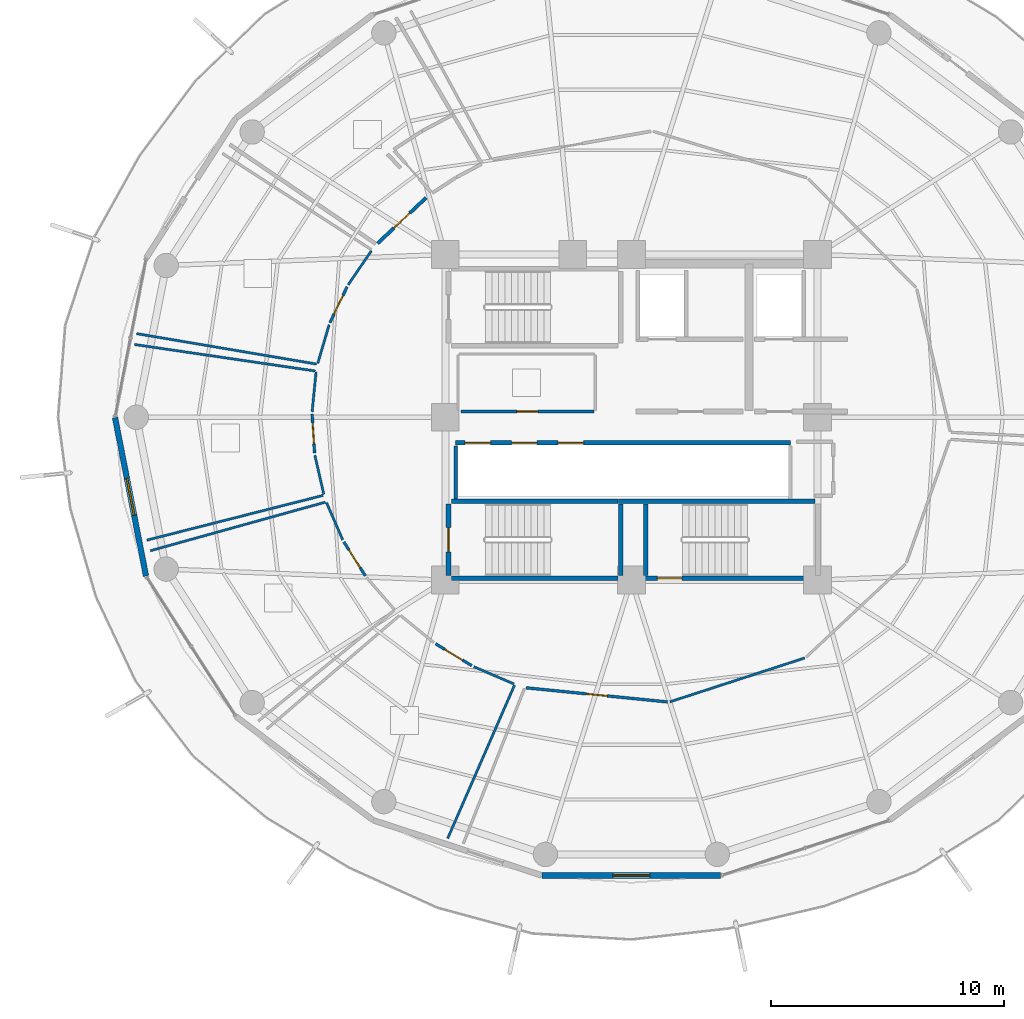
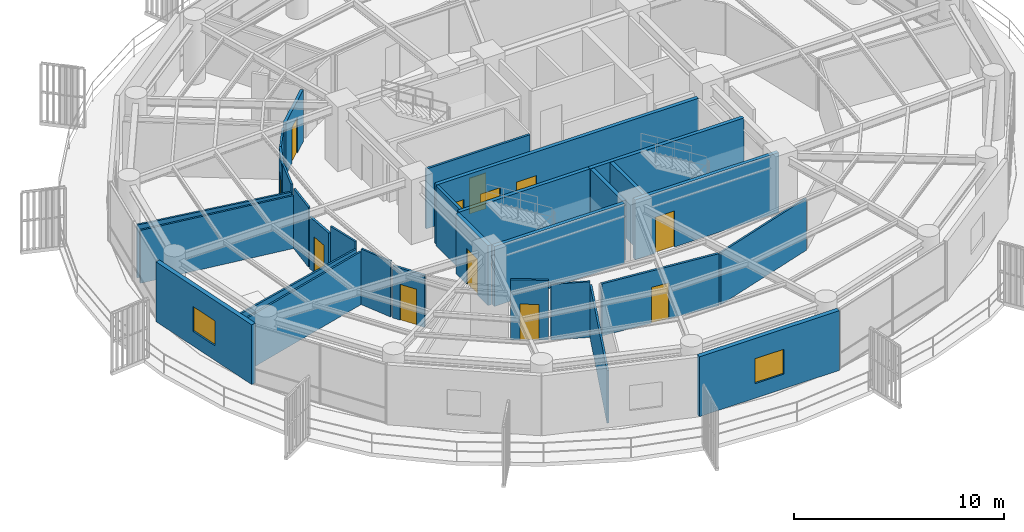
# One storey, part 25 of 31: 30 walls, 12 doors, 2 windows, 14 openings.
"""IFC4 building model written with IfcOpenShell, lengths in metres."""

from ifc_helpers import new_model, si_unit, direction, frame, frame_2d, origin, place, context, subcontext, project, spatial, rectangle, extrude, material, layer, layer_set, type_object, element, fill, save


model = new_model("IFC4")

# Units and contexts
model_context = context("Model", 3, precision=1e-05, world=origin(), true_north=direction((0.0, 1.0)))
body_context = subcontext(model_context, "Body", "Model", "MODEL_VIEW")
ifc_project = project(units=[si_unit("LENGTHUNIT", "METRE"), si_unit("AREAUNIT", "SQUARE_METRE"), si_unit("VOLUMEUNIT", "CUBIC_METRE"), si_unit("PLANEANGLEUNIT", "RADIAN"), si_unit("MASSUNIT", "GRAM", prefix="KILO")], contexts=[model_context])

# Site, building, storey
site_placement = place(None, origin())
site = spatial("IfcSite", under=ifc_project, at=site_placement, CompositionType="ELEMENT")
building_placement = place(site_placement, origin())
building = spatial("IfcBuilding", under=site, at=building_placement, Name="Kelanora Arch Commons", CompositionType="ELEMENT")
storey_placement = place(building_placement, frame((0.0, 0.0, 193.199951171875)))
storey = spatial("IfcBuildingStorey", under=building, at=storey_placement, Name="L49", CompositionType="ELEMENT", Elevation=193.199951171875)

# Wall
ifc_material_1 = material(Name="Autoclaved aerated concrete blockwork with fire plaster", Category="masonry")
ifc_layer_1 = layer(ifc_material_1, 0.14990234375)
ifc_layer_set_1 = layer_set([ifc_layer_1], Name="Autoclaved aerated concrete blockwork with fire plaster")
wall_type_1 = type_object("IfcWallType", Name="W-COMP-150", PredefinedType="PARTITIONING", material=ifc_layer_set_1)
wall_1_placement = place(storey_placement, frame((66.4599609375, 54.47998046875, 0.0), z_axis=(0.0, 0.0, 1.0), x_axis=(0.0, 1.0, 0.0)))
element("IfcWall", 1, at=wall_1_placement, inside=storey, type_object=wall_type_1, Name="South Lift Bank West Wall L49", PredefinedType="PARTITIONING", context=body_context, shape_type="SweptSolid", body=[
    extrude(rectangle(XDim=2.2900390625, YDim=0.14990234375, at=frame_2d((1.14501953125, 0.0))), origin(), (0.0, 0.0, 1.0), 3.47998046875),
])

# Wall, opening, door
wall_2_placement = place(storey_placement, frame((65.17529296875, 67.43798828125, 0.0), z_axis=(0.0, 0.0, 1.0), x_axis=(-0.728220012456, -0.685343427384, 0.0)))
wall_2 = element("IfcWall", 2, at=wall_2_placement, inside=storey, type_object=wall_type_1, Name="Co-Living Studio L49-01 Entry Partition", PredefinedType="PARTITIONING", context=body_context, shape_type="SweptSolid", body=[
    extrude(rectangle(XDim=2.864013671875, YDim=0.14990234375, at=frame_2d((1.43212890625, 0.0))), origin(), (0.0, 0.0, 1.0), 3.025146484375),
])
opening_1_placement = place(wall_2_placement, frame((0.95703125, 0.0, 0.0)))
opening_1 = element("IfcOpeningElement", 3, at=opening_1_placement, cuts=wall_2, Name="Opening D-CLU1", PredefinedType="OPENING", context=body_context, shape_type="SweptSolid", body=[
    extrude(rectangle(XDim=0.949951171875, YDim=2.080078125, at=frame_2d((0.47509765625, 1.0400390625))), frame((0.0, 0.0849609375, 0.0), z_axis=(0.0, -1.0, 0.0), x_axis=(1.0, 0.0, 0.0)), (0.0, 0.0, 1.0), 0.169921875),
])
ifc_material_2 = material(Name="Solid-core acoustic timber cluster entry fire door", Category="wood")
door_type_1 = type_object("IfcDoorType", Name="D-CLU-95", OperationType="NOTDEFINED", PredefinedType="DOOR", material=ifc_material_2)
door_1_placement = place(opening_1_placement, origin())
door_1 = element("IfcDoor", 4, at=door_1_placement, inside=storey, type_object=door_type_1, Name="Co-Living Studio L49-01 Door", OperationType="SINGLE_SWING_RIGHT", OverallHeight=2.080078125, OverallWidth=0.949951171875, PredefinedType="DOOR", context=body_context, shape_type="SweptSolid", body=[
    extrude(rectangle(XDim=0.949951171875, YDim=2.080078125, at=frame_2d((0.47509765625, 1.0400390625))), frame((0.0, 0.02490234375, 0.0), z_axis=(0.0, -1.0, 0.0), x_axis=(1.0, 0.0, 0.0)), (0.0, 0.0, 1.0), 0.050048828125),
])
fill(opening_1, door_1)

# Wall, opening, window
ifc_material_3 = material(Name="Precast concrete C40/50 upper-zone terracotta rainscreen", Category="masonry")
ifc_layer_2 = layer(ifc_material_3, 0.239990234375)
ifc_layer_set_2 = layer_set([ifc_layer_2], Name="Precast concrete C40/50 upper-zone terracotta rainscreen")
wall_type_2 = type_object("IfcWallType", Name="W-EXT-TC2", PredefinedType="SOLIDWALL", material=ifc_layer_set_2)
wall_3_placement = place(storey_placement, frame((51.802978515625, 57.9853515625, 0.0), z_axis=(0.0, 0.0, 1.0), x_axis=(0.192069055673, -0.981381413036, 0.0)))
wall_3 = element("IfcWall", 5, at=wall_3_placement, inside=storey, type_object=wall_type_2, Name="Terracotta Exterior Wall L49-B09", PredefinedType="SOLIDWALL", context=body_context, shape_type="SweptSolid", body=[
    extrude(rectangle(XDim=6.940185546875, YDim=0.239990234375, at=frame_2d((3.47021484375, 0.0))), origin(), (0.0, 0.0, 1.0), 3.47509765625),
])
opening_2_placement = place(wall_3_placement, frame((2.669921875, 0.0, 0.85009765625)))
opening_2 = element("IfcOpeningElement", 6, at=opening_2_placement, cuts=wall_3, Name="Opening WN-01", PredefinedType="OPENING", context=body_context, shape_type="SweptSolid", body=[
    extrude(rectangle(XDim=1.60009765625, YDim=1.449951171875, at=frame_2d((0.800048828125, 0.72509765625))), frame((0.0, 0.1298828125, 0.0), z_axis=(0.0, -1.0, 0.0), x_axis=(1.0, 0.0, 0.0)), (0.0, 0.0, 1.0), 0.260009765625),
])
ifc_material_4 = material(Name="Terracotta-anodised aluminium frame with operable low-E glazing", Category="masonry")
window_type = type_object("IfcWindowType", Name="WIN-CL-18", PartitioningType="DOUBLE_PANEL_VERTICAL", PredefinedType="WINDOW", material=ifc_material_4)
window_1_placement = place(opening_2_placement, origin())
window_1 = element("IfcWindow", 7, at=window_1_placement, inside=storey, type_object=window_type, Name="Co-Living Operable Window L49-B09", OverallHeight=1.449951171875, OverallWidth=1.60009765625, PartitioningType="SINGLE_PANEL", PredefinedType="WINDOW", context=body_context, shape_type="SweptSolid", body=[
    extrude(rectangle(XDim=1.60009765625, YDim=1.449951171875, at=frame_2d((0.800048828125, 0.72509765625))), frame((0.0, 0.030029296875, 0.0), z_axis=(0.0, -1.0, 0.0), x_axis=(1.0, 0.0, 0.0)), (0.0, 0.0, 1.0), 0.06005859375),
])
fill(opening_2, window_1)

wall_4_placement = place(storey_placement, frame((70.159912109375, 38.3037109375, 0.0), z_axis=(0.0, 0.0, 1.0), x_axis=(1.0, 0.0, 0.0)))
wall_4 = element("IfcWall", 8, at=wall_4_placement, inside=storey, type_object=wall_type_2, Name="Terracotta Exterior Wall L49-B13", PredefinedType="SOLIDWALL", context=body_context, shape_type="SweptSolid", body=[
    extrude(rectangle(XDim=7.68017578125, YDim=0.239990234375, at=frame_2d((3.840087890625, 0.0))), origin(), (0.0, 0.0, 1.0), 3.47509765625),
])
opening_3_placement = place(wall_4_placement, frame((3.0400390625, 0.0, 0.85009765625)))
opening_3 = element("IfcOpeningElement", 9, at=opening_3_placement, cuts=wall_4, Name="Opening WN-01", PredefinedType="OPENING", context=body_context, shape_type="SweptSolid", body=[
    extrude(rectangle(XDim=1.60009765625, YDim=1.449951171875, at=frame_2d((0.800048828125, 0.72509765625))), frame((0.0, 0.1298828125, 0.0), z_axis=(0.0, -1.0, 0.0), x_axis=(1.0, 0.0, 0.0)), (0.0, 0.0, 1.0), 0.260009765625),
])
window_2_placement = place(opening_3_placement, origin())
window_2 = element("IfcWindow", 10, at=window_2_placement, inside=storey, type_object=window_type, Name="Co-Living Operable Window L49-B13", OverallHeight=1.449951171875, OverallWidth=1.60009765625, PartitioningType="SINGLE_PANEL", PredefinedType="WINDOW", context=body_context, shape_type="SweptSolid", body=[
    extrude(rectangle(XDim=1.60009765625, YDim=1.449951171875, at=frame_2d((0.800048828125, 0.72509765625))), frame((0.0, 0.030029296875, 0.0), z_axis=(0.0, -1.0, 0.0), x_axis=(1.0, 0.0, 0.0)), (0.0, 0.0, 1.0), 0.06005859375),
])
fill(opening_3, window_2)

# Wall, openings, doors
ifc_material_5 = material(Name="Concrete C40/50", Category="concrete")
ifc_layer_3 = layer(ifc_material_5, 0.199951171875)
ifc_layer_set_3 = layer_set([ifc_layer_3], Name="Concrete C40/50")
wall_type_3 = type_object("IfcWallType", Name="W-FFL-200", PredefinedType="SOLIDWALL", material=ifc_layer_set_3)
wall_5_placement = place(storey_placement, frame((66.449951171875, 56.89990234375, 0.0), z_axis=(0.0, 0.0, 1.0), x_axis=(1.0, 0.0, 0.0)))
wall_5 = element("IfcWall", 11, at=wall_5_placement, inside=storey, type_object=wall_type_3, Name="Mid/High/Express Lift Shaft Front L49", PredefinedType="SOLIDWALL", context=body_context, shape_type="SweptSolid", body=[
    extrude(rectangle(XDim=14.400146484375, YDim=0.199951171875, at=frame_2d((7.2001953125, 0.0))), origin(), (0.0, 0.0, 1.0), 3.47998046875),
])
opening_4_placement = place(wall_5_placement, frame((0.39990234375, 0.0, 0.0)))
opening_4 = element("IfcOpeningElement", 12, at=opening_4_placement, cuts=wall_5, Name="Opening LD-01", PredefinedType="OPENING", context=body_context, shape_type="SweptSolid", body=[
    extrude(rectangle(XDim=1.10009765625, YDim=2.10009765625, at=frame_2d((0.550048828125, 1.050048828125))), frame((0.0, 0.10986328125, 0.0), z_axis=(0.0, -1.0, 0.0), x_axis=(1.0, 0.0, 0.0)), (0.0, 0.0, 1.0), 0.219970703125),
])
opening_5_placement = place(wall_5_placement, frame((2.39990234375, 0.0, 0.0)))
opening_5 = element("IfcOpeningElement", 13, at=opening_5_placement, cuts=wall_5, Name="Opening LD-01", PredefinedType="OPENING", context=body_context, shape_type="SweptSolid", body=[
    extrude(rectangle(XDim=1.10009765625, YDim=2.10009765625, at=frame_2d((0.550048828125, 1.050048828125))), frame((0.0, 0.10986328125, 0.0), z_axis=(0.0, -1.0, 0.0), x_axis=(1.0, 0.0, 0.0)), (0.0, 0.0, 1.0), 0.219970703125),
])
opening_6_placement = place(wall_5_placement, frame((4.39990234375, 0.0, 0.0)))
opening_6 = element("IfcOpeningElement", 14, at=opening_6_placement, cuts=wall_5, Name="Opening LD-01", PredefinedType="OPENING", context=body_context, shape_type="SweptSolid", body=[
    extrude(rectangle(XDim=1.10009765625, YDim=2.10009765625, at=frame_2d((0.550048828125, 1.050048828125))), frame((0.0, 0.10986328125, 0.0), z_axis=(0.0, -1.0, 0.0), x_axis=(1.0, 0.0, 0.0)), (0.0, 0.0, 1.0), 0.219970703125),
])
ifc_material_6 = material(Name="Stainless steel passenger lift sliding landing door", Category="steel")
door_type_2 = type_object("IfcDoorType", Name="D-LIFT-110", OperationType="NOTDEFINED", PredefinedType="DOOR", material=ifc_material_6)
door_2_placement = place(opening_4_placement, origin())
door_2 = element("IfcDoor", 15, at=door_2_placement, inside=storey, type_object=door_type_2, Name="Passenger Lift LF-P4 Landing Door L49", OperationType="DOUBLE_DOOR_SLIDING", OverallHeight=2.10009765625, OverallWidth=1.10009765625, PredefinedType="DOOR", context=body_context, shape_type="SweptSolid", body=[
    extrude(rectangle(XDim=1.10009765625, YDim=2.10009765625, at=frame_2d((0.550048828125, 1.050048828125))), frame((0.0, 0.02490234375, 0.0), z_axis=(0.0, -1.0, 0.0), x_axis=(1.0, 0.0, 0.0)), (0.0, 0.0, 1.0), 0.050048828125),
])
fill(opening_4, door_2)
door_3_placement = place(opening_5_placement, origin())
door_3 = element("IfcDoor", 16, at=door_3_placement, inside=storey, type_object=door_type_2, Name="Passenger Lift LF-P5 Landing Door L49", OperationType="DOUBLE_DOOR_SLIDING", OverallHeight=2.10009765625, OverallWidth=1.10009765625, PredefinedType="DOOR", context=body_context, shape_type="SweptSolid", body=[
    extrude(rectangle(XDim=1.10009765625, YDim=2.10009765625, at=frame_2d((0.550048828125, 1.050048828125))), frame((0.0, 0.02490234375, 0.0), z_axis=(0.0, -1.0, 0.0), x_axis=(1.0, 0.0, 0.0)), (0.0, 0.0, 1.0), 0.050048828125),
])
fill(opening_5, door_3)
door_4_placement = place(opening_6_placement, origin())
door_4 = element("IfcDoor", 17, at=door_4_placement, inside=storey, type_object=door_type_2, Name="Passenger Lift LF-P6 Landing Door L49", OperationType="DOUBLE_DOOR_SLIDING", OverallHeight=2.10009765625, OverallWidth=1.10009765625, PredefinedType="DOOR", context=body_context, shape_type="SweptSolid", body=[
    extrude(rectangle(XDim=1.10009765625, YDim=2.10009765625, at=frame_2d((0.550048828125, 1.050048828125))), frame((0.0, 0.02490234375, 0.0), z_axis=(0.0, -1.0, 0.0), x_axis=(1.0, 0.0, 0.0)), (0.0, 0.0, 1.0), 0.050048828125),
])
fill(opening_6, door_4)

# Walls
ifc_material_7 = material(Name="Lightweight fire-rated acoustic stud partition")
ifc_layer_4 = layer(ifc_material_7, 0.10009765625)
ifc_layer_set_4 = layer_set([ifc_layer_4], Name="Lightweight fire-rated acoustic stud partition")
wall_type_4 = type_object("IfcWallType", Name="W-PART-100", PredefinedType="PARTITIONING", material=ifc_layer_set_4)
wall_6_placement = place(storey_placement, frame((75.657958984375, 45.768310546875, 0.0), z_axis=(0.0, 0.0, 1.0), x_axis=(0.950943301514, 0.309365216704, 0.0)))
element("IfcWall", 18, at=wall_6_placement, inside=storey, type_object=wall_type_4, Name="South-East Shared Study Commons L49 Enclosure Partition 2", PredefinedType="PARTITIONING", context=body_context, shape_type="SweptSolid", body=[
    extrude(rectangle(XDim=6.0908203125, YDim=0.10009765625, at=frame_2d((3.04541015625, 0.0))), origin(), (0.0, 0.0, 1.0), 3.025146484375),
])
wall_7_placement = place(storey_placement, frame((62.824462890625, 65.158935546875, 0.0), z_axis=(0.0, 0.0, 1.0), x_axis=(-0.563576356576, -0.826063974707, 0.0)))
element("IfcWall", 19, at=wall_7_placement, inside=storey, type_object=wall_type_4, Name="Communal Dining and Social Hall L49-02 Enclosure Partition 1", PredefinedType="PARTITIONING", context=body_context, shape_type="SweptSolid", body=[
    extrude(rectangle(XDim=1.77099609375, YDim=0.10009765625, at=frame_2d((0.885498046875, 0.0))), origin(), (0.0, 0.0, 1.0), 3.025146484375),
])
wall_8_placement = place(storey_placement, frame((61.006591796875, 61.9755859375, 0.0), z_axis=(0.0, 0.0, 1.0), x_axis=(-0.282778653399, -0.959185192328, 0.0)))
element("IfcWall", 20, at=wall_8_placement, inside=storey, type_object=wall_type_4, Name="Communal Dining and Social Hall L49-02 Enclosure Partition 3", PredefinedType="PARTITIONING", context=body_context, shape_type="SweptSolid", body=[
    extrude(rectangle(XDim=1.726806640625, YDim=0.10009765625, at=frame_2d((0.86328125, 0.0))), origin(), (0.0, 0.0, 1.0), 3.47998046875),
])
wall_9_placement = place(storey_placement, frame((60.467529296875, 60.28759765625, 0.0), z_axis=(0.0, 0.0, 1.0), x_axis=(-0.985986320585, 0.166826183855, 0.0)))
element("IfcWall", 21, at=wall_9_placement, inside=storey, type_object=wall_type_4, Name="Communal Dining and Social Hall L49-02 Enclosure Partition 4", PredefinedType="PARTITIONING", context=body_context, shape_type="SweptSolid", body=[
    extrude(rectangle(XDim=7.843994140625, YDim=0.10009765625, at=frame_2d((3.921875, 0.0))), origin(), (0.0, 0.0, 1.0), 3.074951171875),
])
wall_10_placement = place(storey_placement, frame((60.445068359375, 59.944091796875, 0.0), z_axis=(0.0, 0.0, 1.0), x_axis=(-0.09867193761, -0.995120017248, 0.0)))
element("IfcWall", 22, at=wall_10_placement, inside=storey, type_object=wall_type_4, Name="Social Sky Lounge L49-03 Enclosure Partition 1", PredefinedType="PARTITIONING", context=body_context, shape_type="SweptSolid", body=[
    extrude(rectangle(XDim=1.714599609375, YDim=0.10009765625, at=frame_2d((0.857421875, 0.0))), origin(), (0.0, 0.0, 1.0), 3.47998046875),
])
wall_11_placement = place(storey_placement, frame((60.393798828125, 56.368896484375, 0.0), z_axis=(0.0, 0.0, 1.0), x_axis=(0.222570739093, -0.974916543146, 0.0)))
element("IfcWall", 23, at=wall_11_placement, inside=storey, type_object=wall_type_4, Name="Social Sky Lounge L49-03 Enclosure Partition 3", PredefinedType="PARTITIONING", context=body_context, shape_type="SweptSolid", body=[
    extrude(rectangle(XDim=1.72216796875, YDim=0.10009765625, at=frame_2d((0.861083984375, 0.0))), origin(), (0.0, 0.0, 1.0), 3.47998046875),
])
wall_12_placement = place(storey_placement, frame((60.747314453125, 54.64111328125, 0.0), z_axis=(0.0, 0.0, 1.0), x_axis=(-0.969263182074, -0.246026185347, 0.0)))
element("IfcWall", 24, at=wall_12_placement, inside=storey, type_object=wall_type_4, Name="Social Sky Lounge L49-03 Enclosure Partition 4", PredefinedType="PARTITIONING", context=body_context, shape_type="SweptSolid", body=[
    extrude(rectangle(XDim=7.813720703125, YDim=0.10009765625, at=frame_2d((3.90673828125, 0.0))), origin(), (0.0, 0.0, 1.0), 3.074951171875),
])
wall_13_placement = place(storey_placement, frame((52.642578125, 61.129150390625, 0.0), z_axis=(0.0, 0.0, 1.0), x_axis=(0.989410031557, -0.145147474846, 0.0)))
element("IfcWall", 25, at=wall_13_placement, inside=storey, type_object=wall_type_4, Name="Social Sky Lounge L49-03 Enclosure Partition 8", PredefinedType="PARTITIONING", context=body_context, shape_type="SweptSolid", body=[
    extrude(rectangle(XDim=7.85009765625, YDim=0.10009765625, at=frame_2d((3.925048828125, 0.0))), origin(), (0.0, 0.0, 1.0), 3.074951171875),
])
wall_14_placement = place(storey_placement, frame((60.89697265625, 54.3251953125, 0.0), z_axis=(0.0, 0.0, 1.0), x_axis=(0.399192626392, -0.916867082534, 0.0)))
element("IfcWall", 26, at=wall_14_placement, inside=storey, type_object=wall_type_4, Name="Quiet Seminar Study Room L49-04 Enclosure Partition 1", PredefinedType="PARTITIONING", context=body_context, shape_type="SweptSolid", body=[
    extrude(rectangle(XDim=1.7412109375, YDim=0.10009765625, at=frame_2d((0.87060546875, 0.0))), origin(), (0.0, 0.0, 1.0), 3.235107421875),
])
wall_15_placement = place(storey_placement, frame((53.323486328125, 52.263671875, 0.0), z_axis=(0.0, 0.0, 1.0), x_axis=(0.963550174849, 0.267527681834, 0.0)))
element("IfcWall", 27, at=wall_15_placement, inside=storey, type_object=wall_type_4, Name="Quiet Seminar Study Room L49-04 Enclosure Partition 8", PredefinedType="PARTITIONING", context=body_context, shape_type="SweptSolid", body=[
    extrude(rectangle(XDim=7.803466796875, YDim=0.10009765625, at=frame_2d((3.90185546875, 0.0))), origin(), (0.0, 0.0, 1.0), 3.074951171875),
])
wall_16_placement = place(storey_placement, frame((67.2255859375, 47.2783203125, 0.0), z_axis=(0.0, 0.0, 1.0), x_axis=(0.918768567592, -0.394796554196, 0.0)))
element("IfcWall", 28, at=wall_16_placement, inside=storey, type_object=wall_type_4, Name="Communal Dining and Social Hall L49-05 Enclosure Partition 3", PredefinedType="PARTITIONING", context=body_context, shape_type="SweptSolid", body=[
    extrude(rectangle(XDim=1.880615234375, YDim=0.10009765625, at=frame_2d((0.9404296875, 0.0))), origin(), (0.0, 0.0, 1.0), 3.235107421875),
])
wall_17_placement = place(storey_placement, frame((68.97412109375, 46.4833984375, 0.0), z_axis=(0.0, 0.0, 1.0), x_axis=(-0.399504113712, -0.916731401844, 0.0)))
element("IfcWall", 29, at=wall_17_placement, inside=storey, type_object=wall_type_4, Name="Communal Dining and Social Hall L49-05 Enclosure Partition 4", PredefinedType="PARTITIONING", context=body_context, shape_type="SweptSolid", body=[
    extrude(rectangle(XDim=7.181640625, YDim=0.10009765625, at=frame_2d((3.5908203125, 0.0))), origin(), (0.0, 0.0, 1.0), 3.074951171875),
])

# Wall, opening, door
ifc_material_8 = material(Name="Acoustic twin-stud fire-rated gypsum partition")
ifc_layer_5 = layer(ifc_material_8, 0.1201171875)
ifc_layer_set_5 = layer_set([ifc_layer_5], Name="Acoustic twin-stud fire-rated gypsum partition")
wall_type_5 = type_object("IfcWallType", Name="W-PART-120", PredefinedType="PARTITIONING", material=ifc_layer_set_5)
wall_18_placement = place(storey_placement, frame((66.67529296875, 58.25, 0.0), z_axis=(0.0, 0.0, 1.0), x_axis=(1.0, 0.0, 0.0)))
wall_18 = element("IfcWall", 30, at=wall_18_placement, inside=storey, type_object=wall_type_5, Name="Reclaimed Core Study Pod Lounge L49 Entry Partition", PredefinedType="PARTITIONING", context=body_context, shape_type="SweptSolid", body=[
    extrude(rectangle(XDim=5.714599609375, YDim=0.1201171875, at=frame_2d((2.857421875, 0.0))), origin(), (0.0, 0.0, 1.0), 3.47998046875),
])
opening_7_placement = place(wall_18_placement, frame((2.406982421875, 0.0, 0.0)))
opening_7 = element("IfcOpeningElement", 31, at=opening_7_placement, cuts=wall_18, Name="Opening D-RM1", PredefinedType="OPENING", context=body_context, shape_type="SweptSolid", body=[
    extrude(rectangle(XDim=0.89990234375, YDim=2.080078125, at=frame_2d((0.449951171875, 1.0400390625))), frame((0.0, 0.070068359375, 0.0), z_axis=(0.0, -1.0, 0.0), x_axis=(1.0, 0.0, 0.0)), (0.0, 0.0, 1.0), 0.14013671875),
])
ifc_material_9 = material(Name="Acoustic fire-rated timber study and lounge door", Category="wood")
door_type_3 = type_object("IfcDoorType", Name="D-ROOM-90", OperationType="NOTDEFINED", PredefinedType="DOOR", material=ifc_material_9)
door_5_placement = place(opening_7_placement, origin())
door_5 = element("IfcDoor", 32, at=door_5_placement, inside=storey, type_object=door_type_3, Name="Reclaimed Core Study Pod Lounge L49 Door", OperationType="SINGLE_SWING_RIGHT", OverallHeight=2.080078125, OverallWidth=0.89990234375, PredefinedType="DOOR", context=body_context, shape_type="SweptSolid", body=[
    extrude(rectangle(XDim=0.89990234375, YDim=2.080078125, at=frame_2d((0.449951171875, 1.0400390625))), frame((0.0, 0.02490234375, 0.0), z_axis=(0.0, -1.0, 0.0), x_axis=(1.0, 0.0, 0.0)), (0.0, 0.0, 1.0), 0.050048828125),
])
fill(opening_7, door_5)

wall_19_placement = place(storey_placement, frame((69.476806640625, 46.37109375, 0.0), z_axis=(0.0, 0.0, 1.0), x_axis=(0.995024530457, -0.099630235311, 0.0)))
wall_19 = element("IfcWall", 33, at=wall_19_placement, inside=storey, type_object=wall_type_5, Name="South-East Shared Study Commons L49 Entry Partition", PredefinedType="PARTITIONING", context=body_context, shape_type="SweptSolid", body=[
    extrude(rectangle(XDim=6.114013671875, YDim=0.1201171875, at=frame_2d((3.05712890625, 0.0))), origin(), (0.0, 0.0, 1.0), 3.025146484375),
])
opening_8_placement = place(wall_19_placement, frame((2.60693359375, 0.0, 0.0)))
opening_8 = element("IfcOpeningElement", 34, at=opening_8_placement, cuts=wall_19, Name="Opening D-RM1", PredefinedType="OPENING", context=body_context, shape_type="SweptSolid", body=[
    extrude(rectangle(XDim=0.89990234375, YDim=2.080078125, at=frame_2d((0.449951171875, 1.0400390625))), frame((0.0, 0.070068359375, 0.0), z_axis=(0.0, -1.0, 0.0), x_axis=(1.0, 0.0, 0.0)), (0.0, 0.0, 1.0), 0.14013671875),
])
door_6_placement = place(opening_8_placement, origin())
door_6 = element("IfcDoor", 35, at=door_6_placement, inside=storey, type_object=door_type_3, Name="South-East Shared Study Commons L49 Door", OperationType="SINGLE_SWING_LEFT", OverallHeight=2.080078125, OverallWidth=0.89990234375, PredefinedType="DOOR", context=body_context, shape_type="SweptSolid", body=[
    extrude(rectangle(XDim=0.89990234375, YDim=2.080078125, at=frame_2d((0.449951171875, 1.0400390625))), frame((0.0, 0.02490234375, 0.0), z_axis=(0.0, -1.0, 0.0), x_axis=(1.0, 0.0, 0.0)), (0.0, 0.0, 1.0), 0.050048828125),
])
fill(opening_8, door_6)

wall_20_placement = place(storey_placement, frame((61.7783203125, 63.60888671875, 0.0), z_axis=(0.0, 0.0, 1.0), x_axis=(-0.430372132133, -0.902651553969, 0.0)))
wall_20 = element("IfcWall", 36, at=wall_20_placement, inside=storey, type_object=wall_type_5, Name="Communal Dining and Social Hall L49-02 Entry Partition", PredefinedType="PARTITIONING", context=body_context, shape_type="SweptSolid", body=[
    extrude(rectangle(XDim=1.70703125, YDim=0.1201171875, at=frame_2d((0.853515625, 0.0))), origin(), (0.0, 0.0, 1.0), 3.235107421875),
])
opening_9_placement = place(wall_20_placement, frame((0.403076171875, 0.0, 0.0)))
opening_9 = element("IfcOpeningElement", 37, at=opening_9_placement, cuts=wall_20, Name="Opening D-RM1", PredefinedType="OPENING", context=body_context, shape_type="SweptSolid", body=[
    extrude(rectangle(XDim=0.89990234375, YDim=2.080078125, at=frame_2d((0.449951171875, 1.0400390625))), frame((0.0, 0.070068359375, 0.0), z_axis=(0.0, -1.0, 0.0), x_axis=(1.0, 0.0, 0.0)), (0.0, 0.0, 1.0), 0.14013671875),
])
door_7_placement = place(opening_9_placement, origin())
door_7 = element("IfcDoor", 38, at=door_7_placement, inside=storey, type_object=door_type_3, Name="Communal Dining and Social Hall L49-02 Door", OperationType="SINGLE_SWING_LEFT", OverallHeight=2.080078125, OverallWidth=0.89990234375, PredefinedType="DOOR", context=body_context, shape_type="SweptSolid", body=[
    extrude(rectangle(XDim=0.89990234375, YDim=2.080078125, at=frame_2d((0.449951171875, 1.0400390625))), frame((0.0, 0.02490234375, 0.0), z_axis=(0.0, -1.0, 0.0), x_axis=(1.0, 0.0, 0.0)), (0.0, 0.0, 1.0), 0.050048828125),
])
fill(opening_9, door_7)

wall_21_placement = place(storey_placement, frame((60.27587890625, 58.13818359375, 0.0), z_axis=(0.0, 0.0, 1.0), x_axis=(0.062877817732, -0.998021232258, 0.0)))
wall_21 = element("IfcWall", 39, at=wall_21_placement, inside=storey, type_object=wall_type_5, Name="Social Sky Lounge L49-03 Entry Partition", PredefinedType="PARTITIONING", context=body_context, shape_type="SweptSolid", body=[
    extrude(rectangle(XDim=1.673583984375, YDim=0.1201171875, at=frame_2d((0.8369140625, 0.0))), origin(), (0.0, 0.0, 1.0), 3.025146484375),
])
opening_10_placement = place(wall_21_placement, frame((0.386962890625, 0.0, 0.0)))
opening_10 = element("IfcOpeningElement", 40, at=opening_10_placement, cuts=wall_21, Name="Opening D-RM1", PredefinedType="OPENING", context=body_context, shape_type="SweptSolid", body=[
    extrude(rectangle(XDim=0.89990234375, YDim=2.080078125, at=frame_2d((0.449951171875, 1.0400390625))), frame((0.0, 0.070068359375, 0.0), z_axis=(0.0, -1.0, 0.0), x_axis=(1.0, 0.0, 0.0)), (0.0, 0.0, 1.0), 0.14013671875),
])
door_8_placement = place(opening_10_placement, origin())
door_8 = element("IfcDoor", 41, at=door_8_placement, inside=storey, type_object=door_type_3, Name="Social Sky Lounge L49-03 Door", OperationType="SINGLE_SWING_RIGHT", OverallHeight=2.080078125, OverallWidth=0.89990234375, PredefinedType="DOOR", context=body_context, shape_type="SweptSolid", body=[
    extrude(rectangle(XDim=0.89990234375, YDim=2.080078125, at=frame_2d((0.449951171875, 1.0400390625))), frame((0.0, 0.02490234375, 0.0), z_axis=(0.0, -1.0, 0.0), x_axis=(1.0, 0.0, 0.0)), (0.0, 0.0, 1.0), 0.050048828125),
])
fill(opening_10, door_8)

wall_22_placement = place(storey_placement, frame((61.64013671875, 52.641357421875, 0.0), z_axis=(0.0, 0.0, 1.0), x_axis=(0.535610965059, -0.844464856645, 0.0)))
wall_22 = element("IfcWall", 42, at=wall_22_placement, inside=storey, type_object=wall_type_5, Name="Quiet Seminar Study Room L49-04 Entry Partition", PredefinedType="PARTITIONING", context=body_context, shape_type="SweptSolid", body=[
    extrude(rectangle(XDim=1.724853515625, YDim=0.1201171875, at=frame_2d((0.8623046875, 0.0))), origin(), (0.0, 0.0, 1.0), 3.025146484375),
])
opening_11_placement = place(wall_22_placement, frame((0.412109375, 0.0, 0.0)))
opening_11 = element("IfcOpeningElement", 43, at=opening_11_placement, cuts=wall_22, Name="Opening D-RM1", PredefinedType="OPENING", context=body_context, shape_type="SweptSolid", body=[
    extrude(rectangle(XDim=0.89990234375, YDim=2.080078125, at=frame_2d((0.449951171875, 1.0400390625))), frame((0.0, 0.070068359375, 0.0), z_axis=(0.0, -1.0, 0.0), x_axis=(1.0, 0.0, 0.0)), (0.0, 0.0, 1.0), 0.14013671875),
])
door_9_placement = place(opening_11_placement, origin())
door_9 = element("IfcDoor", 44, at=door_9_placement, inside=storey, type_object=door_type_3, Name="Quiet Seminar Study Room L49-04 Door", OperationType="SINGLE_SWING_LEFT", OverallHeight=2.080078125, OverallWidth=0.89990234375, PredefinedType="DOOR", context=body_context, shape_type="SweptSolid", body=[
    extrude(rectangle(XDim=0.89990234375, YDim=2.080078125, at=frame_2d((0.449951171875, 1.0400390625))), frame((0.0, 0.02490234375, 0.0), z_axis=(0.0, -1.0, 0.0), x_axis=(1.0, 0.0, 0.0)), (0.0, 0.0, 1.0), 0.050048828125),
])
fill(opening_11, door_9)

wall_23_placement = place(storey_placement, frame((65.58349609375, 48.262939453125, 0.0), z_axis=(0.0, 0.0, 1.0), x_axis=(0.856160990593, -0.516709162089, 0.0)))
wall_23 = element("IfcWall", 45, at=wall_23_placement, inside=storey, type_object=wall_type_5, Name="Communal Dining and Social Hall L49-05 Entry Partition", PredefinedType="PARTITIONING", context=body_context, shape_type="SweptSolid", body=[
    extrude(rectangle(XDim=1.8154296875, YDim=0.1201171875, at=frame_2d((0.90771484375, 0.0))), origin(), (0.0, 0.0, 1.0), 3.47998046875),
])
opening_12_placement = place(wall_23_placement, frame((0.4580078125, 0.0, 0.0)))
opening_12 = element("IfcOpeningElement", 46, at=opening_12_placement, cuts=wall_23, Name="Opening D-RM1", PredefinedType="OPENING", context=body_context, shape_type="SweptSolid", body=[
    extrude(rectangle(XDim=0.89990234375, YDim=2.080078125, at=frame_2d((0.449951171875, 1.0400390625))), frame((0.0, 0.070068359375, 0.0), z_axis=(0.0, -1.0, 0.0), x_axis=(1.0, 0.0, 0.0)), (0.0, 0.0, 1.0), 0.14013671875),
])
door_10_placement = place(opening_12_placement, origin())
door_10 = element("IfcDoor", 47, at=door_10_placement, inside=storey, type_object=door_type_3, Name="Communal Dining and Social Hall L49-05 Door", OperationType="SINGLE_SWING_RIGHT", OverallHeight=2.080078125, OverallWidth=0.89990234375, PredefinedType="DOOR", context=body_context, shape_type="SweptSolid", body=[
    extrude(rectangle(XDim=0.89990234375, YDim=2.080078125, at=frame_2d((0.449951171875, 1.0400390625))), frame((0.0, 0.02490234375, 0.0), z_axis=(0.0, -1.0, 0.0), x_axis=(1.0, 0.0, 0.0)), (0.0, 0.0, 1.0), 0.050048828125),
])
fill(opening_12, door_10)

ifc_layer_6 = layer(ifc_material_5, 0.199951171875)
ifc_layer_set_6 = layer_set([ifc_layer_6], Name="Concrete C40/50")
wall_type_6 = type_object("IfcWallType", Name="W-STAIR-200", PredefinedType="SHEAR", material=ifc_layer_set_6)
wall_24_placement = place(storey_placement, frame((74.0, 51.080078125, 0.0), z_axis=(0.0, 0.0, 1.0), x_axis=(1.0, 0.0, 0.0)))
wall_24 = element("IfcWall", 48, at=wall_24_placement, inside=storey, type_object=wall_type_6, Name="Stair ST-T2 Shaft Wall S L49", PredefinedType="SHEAR", context=body_context, shape_type="SweptSolid", body=[
    extrude(rectangle(XDim=7.89990234375, YDim=0.199951171875, at=frame_2d((3.949951171875, 0.0))), origin(), (0.0, 0.0, 1.0), 3.489990234375),
])
opening_13_placement = place(wall_24_placement, frame((1.1201171875, 0.0, 0.0)))
opening_13 = element("IfcOpeningElement", 49, at=opening_13_placement, cuts=wall_24, Name="Opening D-ST1", PredefinedType="OPENING", context=body_context, shape_type="SweptSolid", body=[
    extrude(rectangle(XDim=1.050048828125, YDim=2.10009765625, at=frame_2d((0.52490234375, 1.050048828125))), frame((0.0, 0.10986328125, 0.0), z_axis=(0.0, -1.0, 0.0), x_axis=(1.0, 0.0, 0.0)), (0.0, 0.0, 1.0), 0.219970703125),
])
ifc_material_10 = material(Name="Steel fire-rated stairwell escape door", Category="steel")
door_type_4 = type_object("IfcDoorType", Name="D-STAIR-110", OperationType="NOTDEFINED", PredefinedType="DOOR", material=ifc_material_10)
door_11_placement = place(opening_13_placement, origin())
door_11 = element("IfcDoor", 50, at=door_11_placement, inside=storey, type_object=door_type_4, Name="Stair ST-T2 Escape Door L49", OperationType="SINGLE_SWING_LEFT", OverallHeight=2.10009765625, OverallWidth=1.050048828125, PredefinedType="DOOR", context=body_context, shape_type="SweptSolid", body=[
    extrude(rectangle(XDim=1.050048828125, YDim=2.10009765625, at=frame_2d((0.52490234375, 1.050048828125))), frame((0.0, 0.02490234375, 0.0), z_axis=(0.0, -1.0, 0.0), x_axis=(1.0, 0.0, 0.0)), (0.0, 0.0, 1.0), 0.050048828125),
])
fill(opening_13, door_11)

# Walls
wall_25_placement = place(storey_placement, frame((81.89990234375, 54.389892578125, 0.0), z_axis=(0.0, 0.0, 1.0), x_axis=(-1.0, 0.0, 0.0)))
element("IfcWall", 51, at=wall_25_placement, inside=storey, type_object=wall_type_6, Name="Stair ST-T2 Shaft Wall N L49", PredefinedType="SHEAR", context=body_context, shape_type="SweptSolid", body=[
    extrude(rectangle(XDim=8.4599609375, YDim=0.199951171875, at=frame_2d((4.22998046875, 0.0))), origin(), (0.0, 0.0, 1.0), 3.489990234375),
])
wall_26_placement = place(storey_placement, frame((74.6201171875, 54.27001953125, 0.0), z_axis=(0.0, 0.0, 1.0), x_axis=(0.0, -1.0, 0.0)))
element("IfcWall", 52, at=wall_26_placement, inside=storey, type_object=wall_type_6, Name="Stair ST-T2 Shaft Wall W L49", PredefinedType="SHEAR", context=body_context, shape_type="SweptSolid", body=[
    extrude(rectangle(XDim=3.070068359375, YDim=0.199951171875, at=frame_2d((1.53515625, 0.0))), origin(), (0.0, 0.0, 1.0), 3.489990234375),
])
wall_27_placement = place(storey_placement, frame((66.260009765625, 51.080078125, 0.0), z_axis=(0.0, 0.0, 1.0), x_axis=(1.0, 0.0, 0.0)))
element("IfcWall", 53, at=wall_27_placement, inside=storey, type_object=wall_type_6, Name="Stair ST-T3 Shaft Wall S L49", PredefinedType="SHEAR", context=body_context, shape_type="SweptSolid", body=[
    extrude(rectangle(XDim=7.159912109375, YDim=0.199951171875, at=frame_2d((3.580078125, 0.0))), origin(), (0.0, 0.0, 1.0), 3.489990234375),
])
wall_28_placement = place(storey_placement, frame((73.5400390625, 51.199951171875, 0.0), z_axis=(0.0, 0.0, 1.0), x_axis=(0.0, 1.0, 0.0)))
element("IfcWall", 54, at=wall_28_placement, inside=storey, type_object=wall_type_6, Name="Stair ST-T3 Shaft Wall E L49", PredefinedType="SHEAR", context=body_context, shape_type="SweptSolid", body=[
    extrude(rectangle(XDim=3.070068359375, YDim=0.199951171875, at=frame_2d((1.53515625, 0.0))), origin(), (0.0, 0.0, 1.0), 3.489990234375),
])
wall_29_placement = place(storey_placement, frame((73.419921875, 54.389892578125, 0.0), z_axis=(0.0, 0.0, 1.0), x_axis=(-1.0, 0.0, 0.0)))
element("IfcWall", 55, at=wall_29_placement, inside=storey, type_object=wall_type_6, Name="Stair ST-T3 Shaft Wall N L49", PredefinedType="SHEAR", context=body_context, shape_type="SweptSolid", body=[
    extrude(rectangle(XDim=7.159912109375, YDim=0.199951171875, at=frame_2d((3.580078125, 0.0))), origin(), (0.0, 0.0, 1.0), 3.489990234375),
])

# Wall, opening, door
wall_30_placement = place(storey_placement, frame((66.139892578125, 54.27001953125, 0.0), z_axis=(0.0, 0.0, 1.0), x_axis=(0.0, -1.0, 0.0)))
wall_30 = element("IfcWall", 56, at=wall_30_placement, inside=storey, type_object=wall_type_6, Name="Stair ST-T3 Shaft Wall W L49", PredefinedType="SHEAR", context=body_context, shape_type="SweptSolid", body=[
    extrude(rectangle(XDim=3.070068359375, YDim=0.199951171875, at=frame_2d((1.53515625, 0.0))), origin(), (0.0, 0.0, 1.0), 3.489990234375),
])
opening_14_placement = place(wall_30_placement, frame((1.010009765625, 0.0, 0.0)))
opening_14 = element("IfcOpeningElement", 57, at=opening_14_placement, cuts=wall_30, Name="Opening D-ST1", PredefinedType="OPENING", context=body_context, shape_type="SweptSolid", body=[
    extrude(rectangle(XDim=1.050048828125, YDim=2.10009765625, at=frame_2d((0.52490234375, 1.050048828125))), frame((0.0, 0.10986328125, 0.0), z_axis=(0.0, -1.0, 0.0), x_axis=(1.0, 0.0, 0.0)), (0.0, 0.0, 1.0), 0.219970703125),
])
door_12_placement = place(opening_14_placement, origin())
door_12 = element("IfcDoor", 58, at=door_12_placement, inside=storey, type_object=door_type_4, Name="Stair ST-T3 Escape Door L49", OperationType="SINGLE_SWING_LEFT", OverallHeight=2.10009765625, OverallWidth=1.050048828125, PredefinedType="DOOR", context=body_context, shape_type="SweptSolid", body=[
    extrude(rectangle(XDim=1.050048828125, YDim=2.10009765625, at=frame_2d((0.52490234375, 1.050048828125))), frame((0.0, 0.02490234375, 0.0), z_axis=(0.0, -1.0, 0.0), x_axis=(1.0, 0.0, 0.0)), (0.0, 0.0, 1.0), 0.050048828125),
])
fill(opening_14, door_12)

save(model, "model.ifc")
